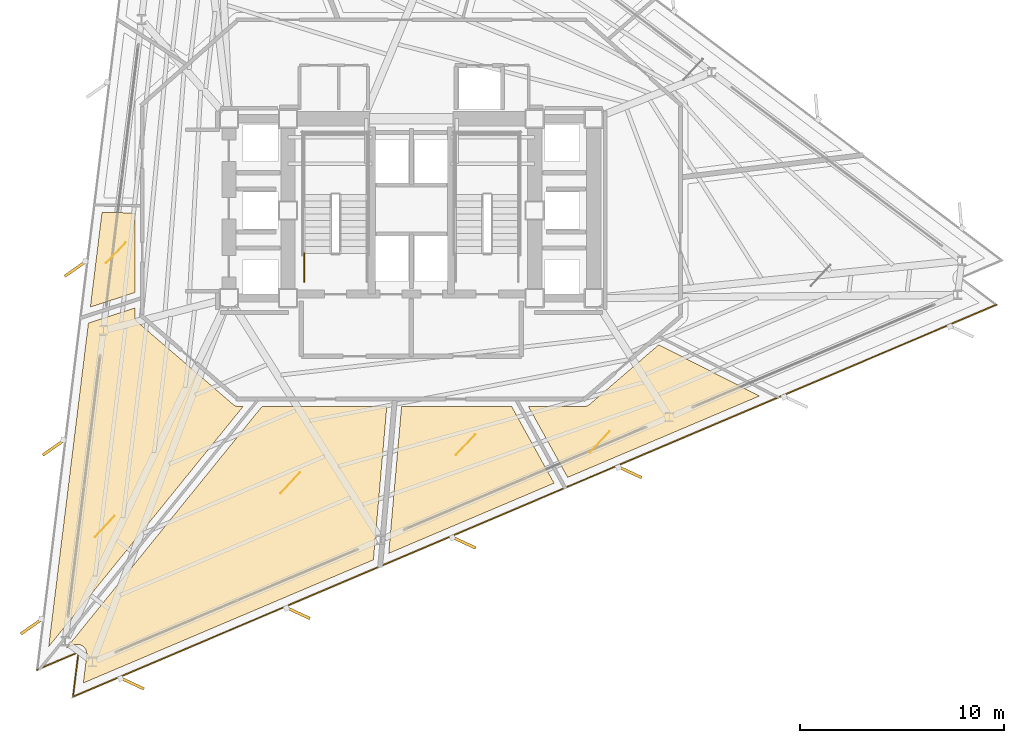
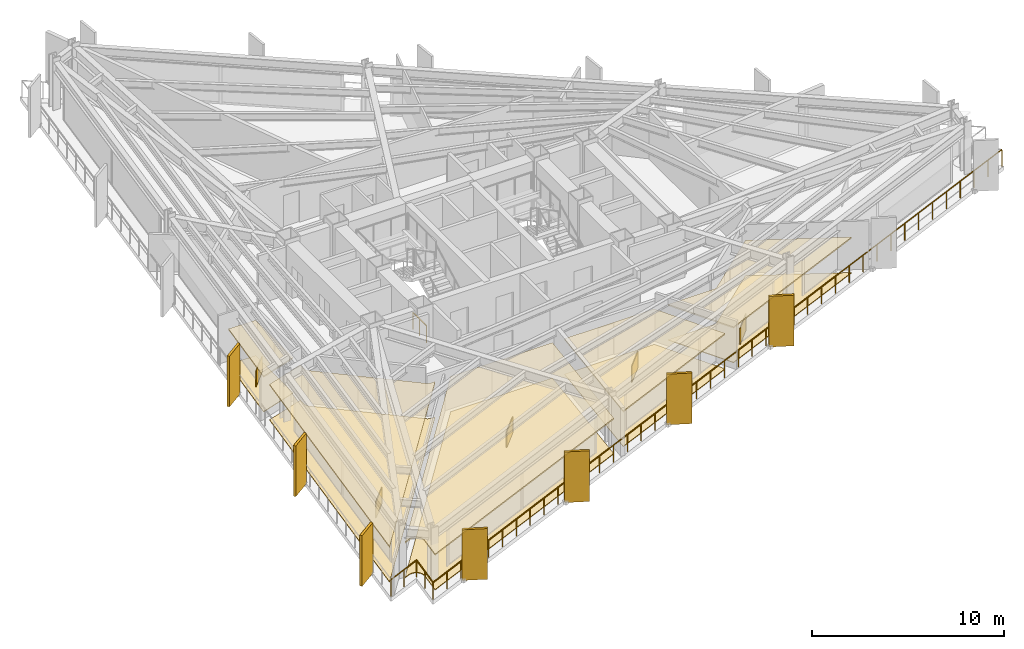
# One storey, part 9 of 13: 15 coverings, 7 shading devices, 2 railings.
"""IFC4 building model written with IfcOpenShell, lengths in metres."""

from ifc_helpers import new_model, si_unit, direction, frame, origin, origin_2d, place, context, subcontext, project, spatial, polyline, rectangle, outline, extrude, material, layer, layer_set, type_object, element, save


model = new_model("IFC4")

# Units and contexts
model_context = context("Model", 3, precision=1e-05, world=origin(), true_north=direction((0.0, 1.0)))
body_context = subcontext(model_context, "Body", "Model", "MODEL_VIEW")
ifc_project = project(units=[si_unit("LENGTHUNIT", "METRE"), si_unit("AREAUNIT", "SQUARE_METRE"), si_unit("VOLUMEUNIT", "CUBIC_METRE"), si_unit("PLANEANGLEUNIT", "RADIAN"), si_unit("MASSUNIT", "GRAM", prefix="KILO")], contexts=[model_context])

# Site, building, storey
site_placement = place(None, origin())
site = spatial("IfcSite", under=ifc_project, at=site_placement, CompositionType="ELEMENT")
building_placement = place(site_placement, origin())
building = spatial("IfcBuilding", under=site, at=building_placement, Name="Rocaltana Carrier Exchange", CompositionType="ELEMENT")
storey_placement = place(building_placement, frame((0.0, 0.0, 59.679931640625)))
storey = spatial("IfcBuildingStorey", under=building, at=storey_placement, Name="L18", CompositionType="ELEMENT", Elevation=59.679931640625)

# Coverings
ifc_material_1 = material(Name="Honed Bogota Sandstone Tile", Category="masonry")
ifc_layer_1 = layer(ifc_material_1, 0.0400390625)
ifc_layer_set_1 = layer_set([ifc_layer_1], Name="Honed Bogota Sandstone Tile")
covering_type_1 = type_object("IfcCoveringType", Name="Honed Stone Lobby Flooring 40", PredefinedType="FLOORING", material=ifc_layer_set_1)
covering_1_placement = place(storey_placement, origin())
element("IfcCovering", 1, at=covering_1_placement, inside=storey, type_object=covering_type_1, Name="L18 Client Reception Foyer Finish Floor", PredefinedType="FLOORING", context=body_context, shape_type="SweptSolid", body=[
    extrude(outline(polyline([(-15.17529296875, -0.09521484375), (-13.56005859375, -0.123291015625), (-13.56005859375, -4.02734375), (-15.745361328125, -4.737548828125), (-15.17529296875, -0.09521484375)])), origin(), (0.0, 0.0, 1.0), 0.0400390625),
])
covering_2_placement = place(storey_placement, origin())
element("IfcCovering", 2, at=covering_2_placement, inside=storey, type_object=covering_type_1, Name="L18 Staff Break Pantry Finish Floor", PredefinedType="FLOORING", context=body_context, shape_type="SweptSolid", body=[
    extrude(outline(polyline([(-17.791015625, -21.398193359375), (-15.84228515625, -5.52587890625), (-13.56005859375, -4.784423828125), (-13.56005859375, -5.199951171875), (-13.559814453125, -5.21337890625), (-13.559326171875, -5.220947265625), (-13.556884765625, -5.24755859375), (-13.5556640625, -5.255126953125), (-13.550537109375, -5.281494140625), (-13.548828125, -5.288818359375), (-13.541259765625, -5.314453125), (-13.538818359375, -5.32177734375), (-13.52880859375, -5.346435546875), (-13.525634765625, -5.353515625), (-13.51318359375, -5.377197265625), (-13.509521484375, -5.3837890625), (-13.4951171875, -5.40625), (-13.490478515625, -5.41259765625), (-13.47412109375, -5.433349609375), (-13.468994140625, -5.439208984375), (-13.450439453125, -5.45849609375), (-13.44482421875, -5.4638671875), (-13.43505859375, -5.47265625), (-8.735107421875, -9.522705078125), (-8.72412109375, -9.53173828125), (-8.717529296875, -9.53662109375), (-8.6943359375, -9.552978515625), (-8.6875, -9.557373046875), (-8.66259765625, -9.571044921875), (-8.6552734375, -9.57470703125), (-8.629150390625, -9.5859375), (-8.62158203125, -9.5888671875), (-8.594482421875, -9.597412109375), (-8.58642578125, -9.599365234375), (-8.55859375, -9.60498046875), (-8.550537109375, -9.606201171875), (-8.522216796875, -9.609130859375), (-8.51416015625, -9.609619140625), (-8.5, -9.610107421875), (-8.245361328125, -9.610107421875), (-17.791015625, -21.398193359375)])), origin(), (0.0, 0.0, 1.0), 0.0400390625),
])
covering_3_placement = place(storey_placement, origin())
element("IfcCovering", 3, at=covering_3_placement, inside=storey, type_object=covering_type_1, Name="L18 Client Reception Foyer Finish Floor", PredefinedType="FLOORING", context=body_context, shape_type="SweptSolid", body=[
    extrude(outline(polyline([(-15.923583984375, -21.822021484375), (-15.922119140625, -21.80810546875), (-15.9208984375, -21.788330078125), (-15.920166015625, -21.760498046875), (-15.920654296875, -21.740478515625), (-15.9228515625, -21.712646484375), (-15.92529296875, -21.69287109375), (-15.930419921875, -21.665283203125), (-15.934814453125, -21.64599609375), (-15.9423828125, -21.619140625), (-15.94873046875, -21.60009765625), (-15.958984375, -21.57421875), (-15.96728515625, -21.55615234375), (-15.97998046875, -21.53125), (-15.989990234375, -21.51416015625), (-16.00537109375, -21.49072265625), (-16.01708984375, -21.474609375), (-16.034423828125, -21.45263671875), (-16.047607421875, -21.437744140625), (-16.067138671875, -21.41796875), (-16.081787109375, -21.404296875), (-16.103271484375, -21.386474609375), (-16.119140625, -21.37451171875), (-16.142333984375, -21.35888671875), (-16.159423828125, -21.348388671875), (-16.183837890625, -21.335205078125), (-16.201904296875, -21.326416015625), (-16.227783203125, -21.31591796875), (-16.246337890625, -21.30908203125), (-16.273193359375, -21.30078125), (-16.29248046875, -21.2958984375), (-16.31982421875, -21.29052734375), (-16.339599609375, -21.28759765625), (-16.3671875, -21.284912109375), (-16.38720703125, -21.283935546875), (-16.415283203125, -21.283935546875), (-16.43505859375, -21.284912109375), (-16.462890625, -21.287841796875), (-16.482421875, -21.291015625), (-16.510009765625, -21.29638671875), (-16.529296875, -21.301513671875), (-16.555908203125, -21.309814453125), (-16.57470703125, -21.316650390625), (-16.587646484375, -21.32177734375), (-16.91552734375, -21.4609375), (-7.31884765625, -9.610107421875), (-1.2021484375, -9.610107421875), (-1.861083984375, -17.140380859375), (-16.09033203125, -23.180419921875), (-15.923583984375, -21.822021484375)])), origin(), (0.0, 0.0, 1.0), 0.0400390625),
])
covering_4_placement = place(storey_placement, origin())
element("IfcCovering", 4, at=covering_4_placement, inside=storey, type_object=covering_type_1, Name="L18 Cloud Architecture Office Finish Floor", PredefinedType="FLOORING", context=body_context, shape_type="SweptSolid", body=[
    extrude(outline(polyline([(-1.1103515625, -16.82177734375), (-0.4794921875, -9.610107421875), (4.915283203125, -9.610107421875), (7.003662109375, -13.377685546875), (-1.1103515625, -16.82177734375)])), origin(), (0.0, 0.0, 1.0), 0.0400390625),
])
covering_5_placement = place(storey_placement, origin())
element("IfcCovering", 5, at=covering_5_placement, inside=storey, type_object=covering_type_1, Name="L18 Peering Conference Room Finish Floor", PredefinedType="FLOORING", context=body_context, shape_type="SweptSolid", body=[
    extrude(outline(polyline([(7.670166015625, -13.0947265625), (5.738525390625, -9.610107421875), (8.5, -9.610107421875), (8.51416015625, -9.609619140625), (8.522216796875, -9.609130859375), (8.550537109375, -9.606201171875), (8.55859375, -9.60498046875), (8.58642578125, -9.599365234375), (8.594482421875, -9.597412109375), (8.62158203125, -9.5888671875), (8.629150390625, -9.5859375), (8.6552734375, -9.57470703125), (8.66259765625, -9.571044921875), (8.6875, -9.557373046875), (8.6943359375, -9.552978515625), (8.717529296875, -9.53662109375), (8.72412109375, -9.53173828125), (8.735107421875, -9.522705078125), (12.13916015625, -6.58935546875), (17.0732421875, -9.103271484375), (7.670166015625, -13.0947265625)])), origin(), (0.0, 0.0, 1.0), 0.0400390625),
])
ifc_material_2 = material(Name="Anodised Aluminium 6063-T6", Category="aluminium")
ifc_layer_2 = layer(ifc_material_2, 0.0849609375)
ifc_layer_set_2 = layer_set([ifc_layer_2], Name="Anodised Aluminium 6063-T6")
covering_type_2 = type_object("IfcCoveringType", Name="Linear Baffle Acoustic Ceiling 85", PredefinedType="CEILING", material=ifc_layer_set_2)
covering_6_placement = place(storey_placement, frame((0.0, 0.0, 2.203125)))
element("IfcCovering", 6, at=covering_6_placement, inside=storey, type_object=covering_type_2, Name="L18 Client Reception Foyer Acoustic Ceiling", PredefinedType="CEILING", context=body_context, shape_type="SweptSolid", body=[
    extrude(outline(polyline([(-15.17529296875, -0.09521484375), (-13.56005859375, -0.123291015625), (-13.56005859375, -4.02734375), (-15.745361328125, -4.737548828125), (-15.17529296875, -0.09521484375)])), origin(), (0.0, 0.0, 1.0), 0.0849609375),
])
covering_7_placement = place(storey_placement, frame((0.0, 0.0, 2.203125)))
element("IfcCovering", 7, at=covering_7_placement, inside=storey, type_object=covering_type_2, Name="L18 Staff Break Pantry Acoustic Ceiling", PredefinedType="CEILING", context=body_context, shape_type="SweptSolid", body=[
    extrude(outline(polyline([(-17.791015625, -21.398193359375), (-15.84228515625, -5.52587890625), (-13.56005859375, -4.784423828125), (-13.56005859375, -5.199951171875), (-13.559814453125, -5.21337890625), (-13.559326171875, -5.220947265625), (-13.556884765625, -5.24755859375), (-13.5556640625, -5.255126953125), (-13.550537109375, -5.281494140625), (-13.548828125, -5.288818359375), (-13.541259765625, -5.314453125), (-13.538818359375, -5.32177734375), (-13.52880859375, -5.346435546875), (-13.525634765625, -5.353515625), (-13.51318359375, -5.377197265625), (-13.509521484375, -5.3837890625), (-13.4951171875, -5.40625), (-13.490478515625, -5.41259765625), (-13.47412109375, -5.433349609375), (-13.468994140625, -5.439208984375), (-13.450439453125, -5.45849609375), (-13.44482421875, -5.4638671875), (-13.43505859375, -5.47265625), (-8.735107421875, -9.522705078125), (-8.72412109375, -9.53173828125), (-8.717529296875, -9.53662109375), (-8.6943359375, -9.552978515625), (-8.6875, -9.557373046875), (-8.66259765625, -9.571044921875), (-8.6552734375, -9.57470703125), (-8.629150390625, -9.5859375), (-8.62158203125, -9.5888671875), (-8.594482421875, -9.597412109375), (-8.58642578125, -9.599365234375), (-8.55859375, -9.60498046875), (-8.550537109375, -9.606201171875), (-8.522216796875, -9.609130859375), (-8.51416015625, -9.609619140625), (-8.5, -9.610107421875), (-8.245361328125, -9.610107421875), (-17.791015625, -21.398193359375)])), origin(), (0.0, 0.0, 1.0), 0.0849609375),
])
covering_8_placement = place(storey_placement, frame((0.0, 0.0, 2.203125)))
element("IfcCovering", 8, at=covering_8_placement, inside=storey, type_object=covering_type_2, Name="L18 Client Reception Foyer Acoustic Ceiling", PredefinedType="CEILING", context=body_context, shape_type="SweptSolid", body=[
    extrude(outline(polyline([(-15.923583984375, -21.822021484375), (-15.922119140625, -21.80810546875), (-15.9208984375, -21.788330078125), (-15.920166015625, -21.760498046875), (-15.920654296875, -21.740478515625), (-15.9228515625, -21.712646484375), (-15.92529296875, -21.69287109375), (-15.930419921875, -21.665283203125), (-15.934814453125, -21.64599609375), (-15.9423828125, -21.619140625), (-15.94873046875, -21.60009765625), (-15.958984375, -21.57421875), (-15.96728515625, -21.55615234375), (-15.97998046875, -21.53125), (-15.989990234375, -21.51416015625), (-16.00537109375, -21.49072265625), (-16.01708984375, -21.474609375), (-16.034423828125, -21.45263671875), (-16.047607421875, -21.437744140625), (-16.067138671875, -21.41796875), (-16.081787109375, -21.404296875), (-16.103271484375, -21.386474609375), (-16.119140625, -21.37451171875), (-16.142333984375, -21.35888671875), (-16.159423828125, -21.348388671875), (-16.183837890625, -21.335205078125), (-16.201904296875, -21.326416015625), (-16.227783203125, -21.31591796875), (-16.246337890625, -21.30908203125), (-16.273193359375, -21.30078125), (-16.29248046875, -21.2958984375), (-16.31982421875, -21.29052734375), (-16.339599609375, -21.28759765625), (-16.3671875, -21.284912109375), (-16.38720703125, -21.283935546875), (-16.415283203125, -21.283935546875), (-16.43505859375, -21.284912109375), (-16.462890625, -21.287841796875), (-16.482421875, -21.291015625), (-16.510009765625, -21.29638671875), (-16.529296875, -21.301513671875), (-16.555908203125, -21.309814453125), (-16.57470703125, -21.316650390625), (-16.587646484375, -21.32177734375), (-16.91552734375, -21.4609375), (-7.31884765625, -9.610107421875), (-1.2021484375, -9.610107421875), (-1.861083984375, -17.140380859375), (-16.09033203125, -23.180419921875), (-15.923583984375, -21.822021484375)])), origin(), (0.0, 0.0, 1.0), 0.0849609375),
])
covering_9_placement = place(storey_placement, frame((0.0, 0.0, 2.203125)))
element("IfcCovering", 9, at=covering_9_placement, inside=storey, type_object=covering_type_2, Name="L18 Cloud Architecture Office Acoustic Ceiling", PredefinedType="CEILING", context=body_context, shape_type="SweptSolid", body=[
    extrude(outline(polyline([(-1.1103515625, -16.82177734375), (-0.4794921875, -9.610107421875), (4.915283203125, -9.610107421875), (7.003662109375, -13.377685546875), (-1.1103515625, -16.82177734375)])), origin(), (0.0, 0.0, 1.0), 0.0849609375),
])
covering_10_placement = place(storey_placement, frame((0.0, 0.0, 2.203125)))
element("IfcCovering", 10, at=covering_10_placement, inside=storey, type_object=covering_type_2, Name="L18 Peering Conference Room Acoustic Ceiling", PredefinedType="CEILING", context=body_context, shape_type="SweptSolid", body=[
    extrude(outline(polyline([(7.670166015625, -13.0947265625), (5.738525390625, -9.610107421875), (8.5, -9.610107421875), (8.51416015625, -9.609619140625), (8.522216796875, -9.609130859375), (8.550537109375, -9.606201171875), (8.55859375, -9.60498046875), (8.58642578125, -9.599365234375), (8.594482421875, -9.597412109375), (8.62158203125, -9.5888671875), (8.629150390625, -9.5859375), (8.6552734375, -9.57470703125), (8.66259765625, -9.571044921875), (8.6875, -9.557373046875), (8.6943359375, -9.552978515625), (8.717529296875, -9.53662109375), (8.72412109375, -9.53173828125), (8.735107421875, -9.522705078125), (12.13916015625, -6.58935546875), (17.0732421875, -9.103271484375), (7.670166015625, -13.0947265625)])), origin(), (0.0, 0.0, 1.0), 0.0849609375),
])

# Railing
ifc_material_3 = material(Name="Powder-Coated Aluminium 6063-T6", Category="aluminium")
ifc_layer_3 = layer(ifc_material_3, 0.048095703125)
ifc_layer_set_3 = layer_set([ifc_layer_3], Name="Powder-Coated Aluminium 6063-T6")
railing_type_1 = type_object("IfcRailingType", Name="Stair Well Guardrail 1100", PredefinedType="GUARDRAIL", material=ifc_layer_set_3)
railing_1_placement = place(storey_placement, frame((-5.25, -3.5, 0.0)))
element("IfcRailing", 11, at=railing_1_placement, inside=storey, type_object=railing_type_1, Name="L18 ST-1 stair guard 9", PredefinedType="GUARDRAIL", context=body_context, shape_type="SweptSolid", body=[
    extrude(rectangle(XDim=0.048095703125, YDim=0.048095703125, at=origin_2d()), frame((0.0, 0.0, 1.076171875), z_axis=(0.0, 1.0, 0.0), x_axis=(-1.0, 0.0, 0.0)), (0.0, 0.0, 1.0), 1.39990234375),
    extrude(rectangle(XDim=0.0419921875, YDim=0.0419921875, at=origin_2d()), origin(), (0.0, 0.0, 1.0), 1.052001953125),
    extrude(rectangle(XDim=0.0419921875, YDim=0.0419921875, at=origin_2d()), frame((0.0, 0.699951171875, 0.0)), (0.0, 0.0, 1.0), 1.052001953125),
    extrude(rectangle(XDim=0.0419921875, YDim=0.0419921875, at=origin_2d()), frame((0.0, 1.39990234375, 0.0)), (0.0, 0.0, 1.0), 1.052001953125),
])

# Coverings
ifc_material_4 = material(Name="Honed Piedra Muneca Sandstone", Category="masonry")
ifc_layer_4 = layer(ifc_material_4, 0.034912109375)
ifc_layer_set_4 = layer_set([ifc_layer_4], Name="Honed Piedra Muneca Sandstone")
covering_type_3 = type_object("IfcCoveringType", Name="Stone Facade Cladding 35", PredefinedType="CLADDING", material=ifc_layer_set_4)
for number, where, z_axis, x_axis, name in (
    (12, (-14.4892578125, -2.075439453125, 0.0), (0.0, 0.0, 1.0), (0.681998360062, 0.731353701619, 0.0), "L18 Stone Facade Cladding Panel 1"),
    (13, (-15.042724609375, -15.504150390625, 0.0), (0.0, 0.0, 1.0), (0.681998360062, 0.731353701619, 0.0), "L18 Stone Facade Cladding Panel 2"),
    (14, (-5.94970703125, -13.375244140625, 0.0), (0.0, 0.0, 1.0), (0.681998360062, 0.731353701619, 0.0), "L18 Stone Facade Cladding Panel 3"),
    (15, (2.65771484375, -11.493896484375, 0.0), (0.0, 0.0, 1.0), (0.681998360062, 0.731353701619, 0.0), "L18 Stone Facade Cladding Panel 4"),
    (16, (9.239501953125, -11.352294921875, 0.0), (0.0, 0.0, 1.0), (0.681998360062, 0.731353701619, 0.0), "L18 Stone Facade Cladding Panel 5"),
):
    element("IfcCovering", number, at=place(storey_placement, frame(where, z_axis=z_axis, x_axis=x_axis)), inside=storey, type_object=covering_type_3, Name=name, PredefinedType="CLADDING", context=body_context, shape_type="SweptSolid", body=[
        extrude(rectangle(XDim=1.39990234375, YDim=0.034912109375, at=origin_2d()), origin(), (0.0, 0.0, 1.0), 1.050048828125),
    ])

# Shading devices
ifc_material_5 = material(Name="Honed Bogota Sandstone & Concrete C45/55", Category="masonry")
ifc_layer_5 = layer(ifc_material_5, 0.139892578125)
ifc_layer_set_5 = layer_set([ifc_layer_5], Name="Honed Bogota Sandstone & Concrete C45/55")
shading_device_type = type_object("IfcShadingDeviceType", Name="Vertical Sandstone Shading Fin 1320x140", PredefinedType="USERDEFINED", material=ifc_layer_set_5)
for number, where, z_axis, x_axis, name in (
    (17, (-16.46142578125, -2.85009765625, -0.1201171875), (0.0, 0.0, 1.0), (-0.819152044289, -0.573576436351, 0.0), "L18 Sandstone Vertical Fin F2-04"),
    (18, (-17.538818359375, -11.6240234375, -0.1201171875), (0.0, 0.0, 1.0), (-0.819152044289, -0.573576436351, 0.0), "L18 Sandstone Vertical Fin F2-05"),
    (19, (-18.6162109375, -20.398193359375, -0.1201171875), (0.0, 0.0, 1.0), (-0.819152044289, -0.573576436351, 0.0), "L18 Sandstone Vertical Fin F2-06"),
    (20, (-13.712890625, -23.193359375, -0.1201171875), (0.0, 0.0, 1.0), (0.906307787037, -0.422618261741, 0.0), "L18 Sandstone Vertical Fin F3-01"),
    (21, (-5.57568359375, -19.7392578125, -0.1201171875), (0.0, 0.0, 1.0), (0.906307787037, -0.422618261741, 0.0), "L18 Sandstone Vertical Fin F3-02"),
    (22, (2.5615234375, -16.28515625, -0.1201171875), (0.0, 0.0, 1.0), (0.906307787037, -0.422618261741, 0.0), "L18 Sandstone Vertical Fin F3-03"),
    (23, (10.698974609375, -12.8310546875, -0.1201171875), (0.0, 0.0, 1.0), (0.906307787037, -0.422618261741, 0.0), "L18 Sandstone Vertical Fin F3-04"),
):
    element("IfcShadingDevice", number, at=place(storey_placement, frame(where, z_axis=z_axis, x_axis=x_axis)), inside=storey, type_object=shading_device_type, Name=name, ObjectType="FIN", PredefinedType="USERDEFINED", context=body_context, shape_type="SweptSolid", body=[
        extrude(rectangle(XDim=1.320068359375, YDim=0.139892578125, at=origin_2d()), origin(), (0.0, 0.0, 1.0), 3.218017578125),
    ])

# Railing
ifc_material_6 = material(Name="Powder-Coated Aluminium 6063-T6", Category="aluminium")
ifc_layer_6 = layer(ifc_material_6, 0.06005859375)
ifc_layer_set_6 = layer_set([ifc_layer_6], Name="Powder-Coated Aluminium 6063-T6")
railing_type_2 = type_object("IfcRailingType", Name="Wind-Floor & Terrace Perimeter Guardrail 1100", PredefinedType="GUARDRAIL", material=ifc_layer_set_6)
railing_2_placement = place(storey_placement, frame((28.685791015625, -4.63037109375, 0.0)))
element("IfcRailing", 24, at=railing_2_placement, inside=storey, type_object=railing_type_2, Name="L18 Perimeter Balcony Guardrail 1", PredefinedType="GUARDRAIL", context=body_context, shape_type="SweptSolid", body=[
    extrude(rectangle(XDim=0.048095703125, YDim=0.048095703125, at=origin_2d()), frame((0.0, 0.0, 1.076171875), z_axis=(-0.920504928534, -0.390730951608, 0.0), x_axis=(0.390730951608, -0.920504928534, 0.0)), (0.0, 0.0, 1.0), 49.1923828125),
    extrude(rectangle(XDim=0.048095703125, YDim=0.048095703125, at=origin_2d()), frame((-45.28173828125, -19.220947265625, 1.076171875), z_axis=(0.121849105842, 0.992548636292, 0.0), x_axis=(-0.992548636292, 0.121849105842, 0.0)), (0.0, 0.0, 1.0), 2.199951171875),
    extrude(rectangle(XDim=0.048095703125, YDim=0.048095703125, at=origin_2d()), frame((-45.013671875, -17.037353515625, 1.076171875), z_axis=(-0.920488651352, -0.390769296046, 0.0), x_axis=(0.390769296046, -0.920488651352, 0.0)), (0.0, 0.0, 1.0), 2.19970703125),
    extrude(rectangle(XDim=0.0419921875, YDim=0.0419921875, at=origin_2d()), origin(), (0.0, 0.0, 1.0), 1.052001953125),
    extrude(rectangle(XDim=0.0419921875, YDim=0.0419921875, at=origin_2d()), frame((-1.1044921875, -0.46875, 0.0)), (0.0, 0.0, 1.0), 1.052001953125),
    extrude(rectangle(XDim=0.0419921875, YDim=0.0419921875, at=origin_2d()), frame((-2.208984375, -0.9375, 0.0)), (0.0, 0.0, 1.0), 1.052001953125),
    extrude(rectangle(XDim=0.0419921875, YDim=0.0419921875, at=origin_2d()), frame((-3.313232421875, -1.406494140625, 0.0)), (0.0, 0.0, 1.0), 1.052001953125),
    extrude(rectangle(XDim=0.0419921875, YDim=0.0419921875, at=origin_2d()), frame((-4.417724609375, -1.875244140625, 0.0)), (0.0, 0.0, 1.0), 1.052001953125),
    extrude(rectangle(XDim=0.0419921875, YDim=0.0419921875, at=origin_2d()), frame((-5.522216796875, -2.343994140625, 0.0)), (0.0, 0.0, 1.0), 1.052001953125),
    extrude(rectangle(XDim=0.0419921875, YDim=0.0419921875, at=origin_2d()), frame((-6.626708984375, -2.812744140625, 0.0)), (0.0, 0.0, 1.0), 1.052001953125),
    extrude(rectangle(XDim=0.0419921875, YDim=0.0419921875, at=origin_2d()), frame((-7.73095703125, -3.28173828125, 0.0)), (0.0, 0.0, 1.0), 1.052001953125),
    extrude(rectangle(XDim=0.0419921875, YDim=0.0419921875, at=origin_2d()), frame((-8.83544921875, -3.75048828125, 0.0)), (0.0, 0.0, 1.0), 1.052001953125),
    extrude(rectangle(XDim=0.0419921875, YDim=0.0419921875, at=origin_2d()), frame((-9.93994140625, -4.21923828125, 0.0)), (0.0, 0.0, 1.0), 1.052001953125),
    extrude(rectangle(XDim=0.0419921875, YDim=0.0419921875, at=origin_2d()), frame((-11.04443359375, -4.68798828125, 0.0)), (0.0, 0.0, 1.0), 1.052001953125),
    extrude(rectangle(XDim=0.0419921875, YDim=0.0419921875, at=origin_2d()), frame((-12.148681640625, -5.15673828125, 0.0)), (0.0, 0.0, 1.0), 1.052001953125),
    extrude(rectangle(XDim=0.0419921875, YDim=0.0419921875, at=origin_2d()), frame((-13.253173828125, -5.625732421875, 0.0)), (0.0, 0.0, 1.0), 1.052001953125),
    extrude(rectangle(XDim=0.0419921875, YDim=0.0419921875, at=origin_2d()), frame((-14.357666015625, -6.094482421875, 0.0)), (0.0, 0.0, 1.0), 1.052001953125),
    extrude(rectangle(XDim=0.0419921875, YDim=0.0419921875, at=origin_2d()), frame((-15.462158203125, -6.563232421875, 0.0)), (0.0, 0.0, 1.0), 1.052001953125),
    extrude(rectangle(XDim=0.0419921875, YDim=0.0419921875, at=origin_2d()), frame((-16.56640625, -7.031982421875, 0.0)), (0.0, 0.0, 1.0), 1.052001953125),
    extrude(rectangle(XDim=0.0419921875, YDim=0.0419921875, at=origin_2d()), frame((-17.6708984375, -7.5009765625, 0.0)), (0.0, 0.0, 1.0), 1.052001953125),
    extrude(rectangle(XDim=0.0419921875, YDim=0.0419921875, at=origin_2d()), frame((-18.775390625, -7.9697265625, 0.0)), (0.0, 0.0, 1.0), 1.052001953125),
    extrude(rectangle(XDim=0.0419921875, YDim=0.0419921875, at=origin_2d()), frame((-19.8798828125, -8.4384765625, 0.0)), (0.0, 0.0, 1.0), 1.052001953125),
    extrude(rectangle(XDim=0.0419921875, YDim=0.0419921875, at=origin_2d()), frame((-20.984130859375, -8.9072265625, 0.0)), (0.0, 0.0, 1.0), 1.052001953125),
    extrude(rectangle(XDim=0.0419921875, YDim=0.0419921875, at=origin_2d()), frame((-22.088623046875, -9.3759765625, 0.0)), (0.0, 0.0, 1.0), 1.052001953125),
    extrude(rectangle(XDim=0.0419921875, YDim=0.0419921875, at=origin_2d()), frame((-23.193115234375, -9.844970703125, 0.0)), (0.0, 0.0, 1.0), 1.052001953125),
    extrude(rectangle(XDim=0.0419921875, YDim=0.0419921875, at=origin_2d()), frame((-24.297607421875, -10.313720703125, 0.0)), (0.0, 0.0, 1.0), 1.052001953125),
    extrude(rectangle(XDim=0.0419921875, YDim=0.0419921875, at=origin_2d()), frame((-25.40185546875, -10.782470703125, 0.0)), (0.0, 0.0, 1.0), 1.052001953125),
    extrude(rectangle(XDim=0.0419921875, YDim=0.0419921875, at=origin_2d()), frame((-26.50634765625, -11.251220703125, 0.0)), (0.0, 0.0, 1.0), 1.052001953125),
    extrude(rectangle(XDim=0.0419921875, YDim=0.0419921875, at=origin_2d()), frame((-27.61083984375, -11.719970703125, 0.0)), (0.0, 0.0, 1.0), 1.052001953125),
    extrude(rectangle(XDim=0.0419921875, YDim=0.0419921875, at=origin_2d()), frame((-28.71533203125, -12.18896484375, 0.0)), (0.0, 0.0, 1.0), 1.052001953125),
    extrude(rectangle(XDim=0.0419921875, YDim=0.0419921875, at=origin_2d()), frame((-29.819580078125, -12.65771484375, 0.0)), (0.0, 0.0, 1.0), 1.052001953125),
    extrude(rectangle(XDim=0.0419921875, YDim=0.0419921875, at=origin_2d()), frame((-30.924072265625, -13.12646484375, 0.0)), (0.0, 0.0, 1.0), 1.052001953125),
    extrude(rectangle(XDim=0.0419921875, YDim=0.0419921875, at=origin_2d()), frame((-32.028564453125, -13.59521484375, 0.0)), (0.0, 0.0, 1.0), 1.052001953125),
    extrude(rectangle(XDim=0.0419921875, YDim=0.0419921875, at=origin_2d()), frame((-33.133056640625, -14.064208984375, 0.0)), (0.0, 0.0, 1.0), 1.052001953125),
    extrude(rectangle(XDim=0.0419921875, YDim=0.0419921875, at=origin_2d()), frame((-34.2373046875, -14.532958984375, 0.0)), (0.0, 0.0, 1.0), 1.052001953125),
    extrude(rectangle(XDim=0.0419921875, YDim=0.0419921875, at=origin_2d()), frame((-35.341796875, -15.001708984375, 0.0)), (0.0, 0.0, 1.0), 1.052001953125),
    extrude(rectangle(XDim=0.0419921875, YDim=0.0419921875, at=origin_2d()), frame((-36.4462890625, -15.470458984375, 0.0)), (0.0, 0.0, 1.0), 1.052001953125),
    extrude(rectangle(XDim=0.0419921875, YDim=0.0419921875, at=origin_2d()), frame((-37.55078125, -15.939208984375, 0.0)), (0.0, 0.0, 1.0), 1.052001953125),
    extrude(rectangle(XDim=0.0419921875, YDim=0.0419921875, at=origin_2d()), frame((-38.655029296875, -16.408203125, 0.0)), (0.0, 0.0, 1.0), 1.052001953125),
    extrude(rectangle(XDim=0.0419921875, YDim=0.0419921875, at=origin_2d()), frame((-39.759521484375, -16.876953125, 0.0)), (0.0, 0.0, 1.0), 1.052001953125),
    extrude(rectangle(XDim=0.0419921875, YDim=0.0419921875, at=origin_2d()), frame((-40.864013671875, -17.345703125, 0.0)), (0.0, 0.0, 1.0), 1.052001953125),
    extrude(rectangle(XDim=0.0419921875, YDim=0.0419921875, at=origin_2d()), frame((-41.968505859375, -17.814453125, 0.0)), (0.0, 0.0, 1.0), 1.052001953125),
    extrude(rectangle(XDim=0.0419921875, YDim=0.0419921875, at=origin_2d()), frame((-43.07275390625, -18.283447265625, 0.0)), (0.0, 0.0, 1.0), 1.052001953125),
    extrude(rectangle(XDim=0.0419921875, YDim=0.0419921875, at=origin_2d()), frame((-44.17724609375, -18.752197265625, 0.0)), (0.0, 0.0, 1.0), 1.052001953125),
    extrude(rectangle(XDim=0.0419921875, YDim=0.0419921875, at=origin_2d()), frame((-45.28173828125, -19.220947265625, 0.0)), (0.0, 0.0, 1.0), 1.052001953125),
    extrude(rectangle(XDim=0.0419921875, YDim=0.0419921875, at=origin_2d()), frame((-45.147705078125, -18.129150390625, 0.0)), (0.0, 0.0, 1.0), 1.052001953125),
    extrude(rectangle(XDim=0.0419921875, YDim=0.0419921875, at=origin_2d()), frame((-45.013671875, -17.037353515625, 0.0)), (0.0, 0.0, 1.0), 1.052001953125),
    extrude(rectangle(XDim=0.0419921875, YDim=0.0419921875, at=origin_2d()), frame((-46.026123046875, -17.46728515625, 0.0)), (0.0, 0.0, 1.0), 1.052001953125),
    extrude(rectangle(XDim=0.0419921875, YDim=0.0419921875, at=origin_2d()), frame((-47.03857421875, -17.89697265625, 0.0)), (0.0, 0.0, 1.0), 1.052001953125),
])

save(model, "model.ifc")
